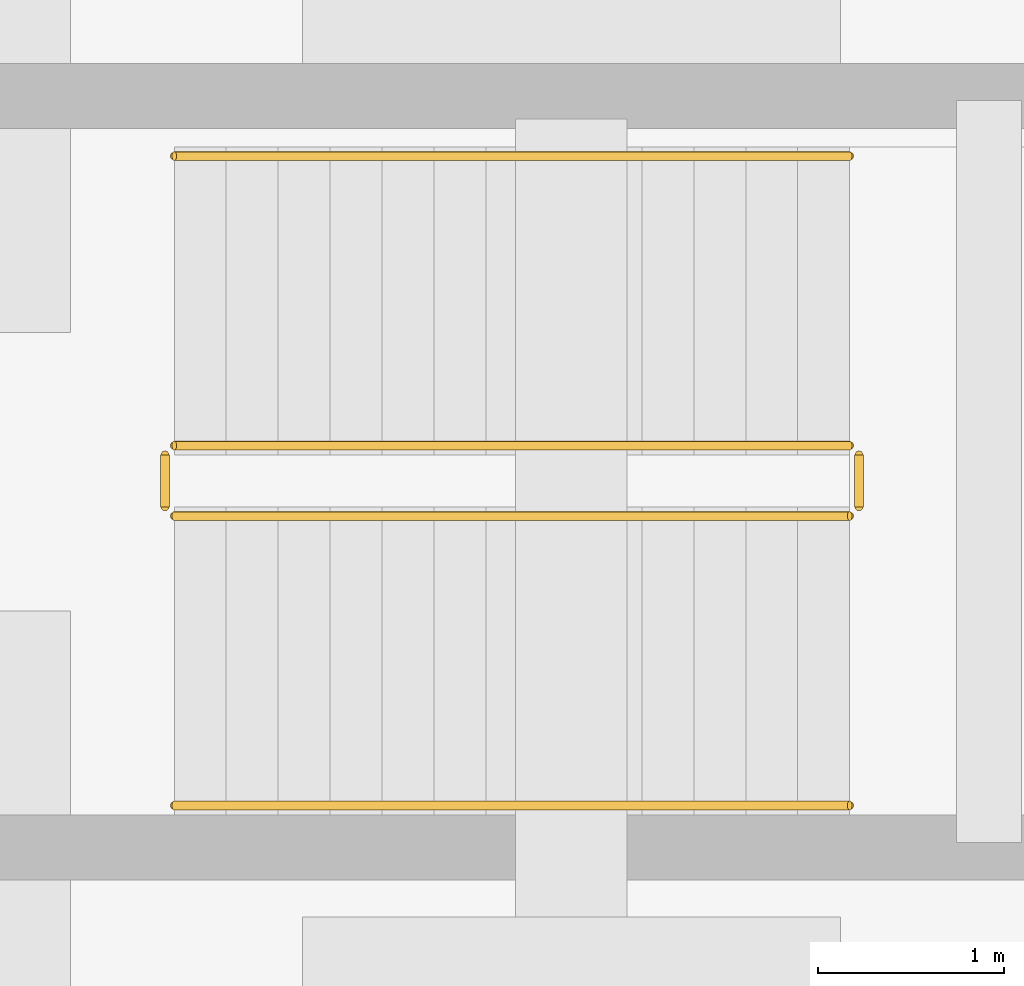
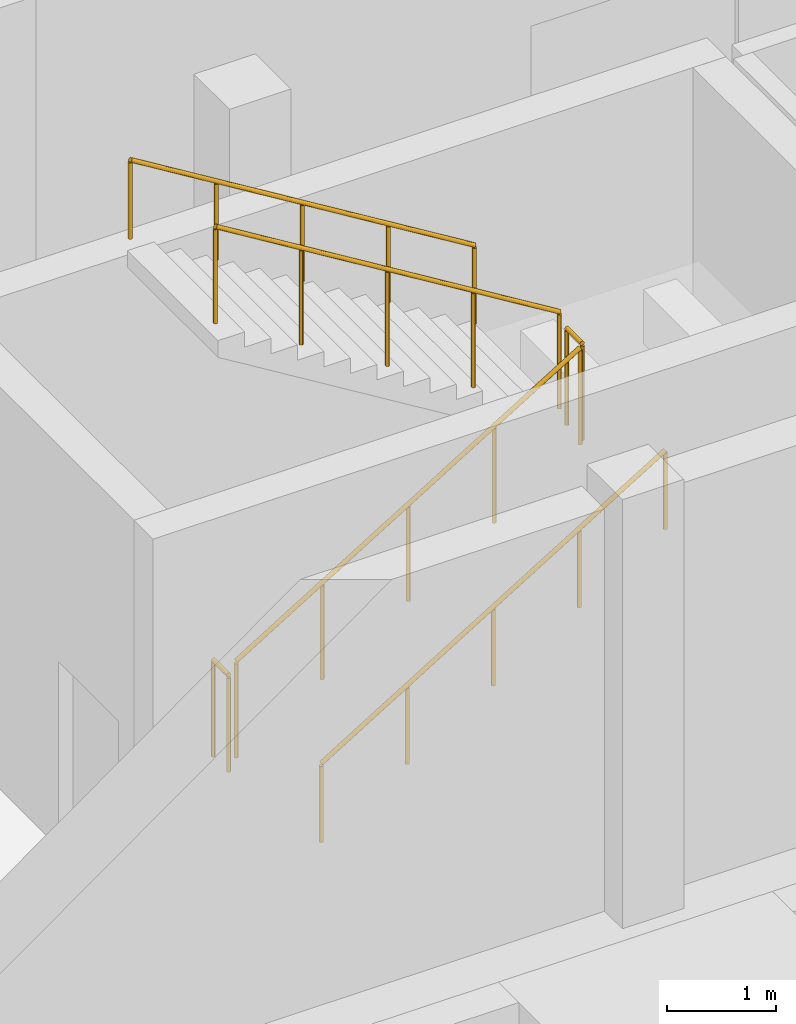
# One storey, part 23 of 29: 6 railings.
"""IFC4 building model written with IfcOpenShell, lengths in metres."""

import ifcopenshell
import ifcopenshell.guid

model = None  # the IFC model being written
_history = None  # IfcOwnerHistory: only IFC2X3 demands one
_inside = {}  # id of a spatial element -> (the spatial element, [elements in it])
_under = {}  # id of a project, library or spatial element -> (it, [spatial elements below it])
_declared = {}  # id of a project -> (the project, [libraries it declares])
_typed = {}  # id of a type object -> (the type object, [elements of that type])
_made_of = {}  # id of a material, layer set ... -> (it, [elements and type objects made of it])


def new_model(schema):
    """Start an empty IFC model of exactly this schema.

    Asked for "IFC4X3", IfcOpenShell would pick the latest addendum, in which some entities
    have other attributes; the version numbers below select the first issue.
    IFC2X3 requires an IfcOwnerHistory on every rooted entity: one is made here for all.
    """
    global model, _history
    if schema == "IFC4X3":
        model = ifcopenshell.file(schema_version=(4, 3, 0, 0))
    else:
        model = ifcopenshell.file(schema=schema)
    _inside.clear()
    _under.clear()
    _declared.clear()
    _typed.clear()
    _made_of.clear()
    _history = None
    if model.schema == "IFC2X3":
        org = make("IfcOrganization", Name="unknown")
        user = make(
            "IfcPersonAndOrganization",
            ThePerson=make("IfcPerson", FamilyName="unknown"),
            TheOrganization=org,
        )
        app = make(
            "IfcApplication",
            ApplicationDeveloper=org,
            Version="unknown",
            ApplicationFullName="unknown",
            ApplicationIdentifier="unknown",
        )
        _history = make(
            "IfcOwnerHistory",
            OwningUser=user,
            OwningApplication=app,
            ChangeAction="ADDED",
            CreationDate=0,
        )
    return model


def make(cls, **values):
    """One entity of the class cls with the attributes given. An attribute that is None is left unset."""
    return model.create_entity(
        cls, **{name: value for name, value in values.items() if value is not None}
    )


def rooted(cls, **values):
    """An entity with a GlobalId (a new one), such as an element, a storey or a relation."""
    return make(cls, GlobalId=ifcopenshell.guid.new(), OwnerHistory=_history, **values)


def si_unit(unit_type, name, prefix=None):
    """IfcSIUnit, for example si_unit("LENGTHUNIT", "METRE", prefix="MILLI")."""
    return make("IfcSIUnit", UnitType=unit_type, Prefix=prefix, Name=name)


def assignment(units):
    """IfcUnitAssignment: the units of a project."""
    return None if units is None else make("IfcUnitAssignment", Units=units)


def point(xyz):
    """IfcCartesianPoint."""
    return None if xyz is None else make("IfcCartesianPoint", Coordinates=xyz)


def direction(xyz):
    """IfcDirection."""
    return None if xyz is None else make("IfcDirection", DirectionRatios=xyz)


def frame(location, z_axis=None, x_axis=None):
    """IfcAxis2Placement3D, a coordinate frame: its origin and axes. An axis left out is left unset."""
    return make(
        "IfcAxis2Placement3D",
        Location=point(location),
        Axis=direction(z_axis),
        RefDirection=direction(x_axis),
    )


def frame_2d(location, x_axis=None):
    """IfcAxis2Placement2D, a coordinate frame in the plane: its origin and x axis."""
    return make(
        "IfcAxis2Placement2D", Location=point(location), RefDirection=direction(x_axis)
    )


def origin():
    """The frame at (0, 0, 0) with its axes left unset."""
    return frame((0.0, 0.0, 0.0))


def origin_2d():
    """The frame at (0, 0) in the plane with its x axis left unset."""
    return frame_2d((0.0, 0.0))


def place(relative_to, where):
    """IfcLocalPlacement: puts the frame where relative to a parent placement (None: the world)."""
    return make(
        "IfcLocalPlacement", PlacementRelTo=relative_to, RelativePlacement=where
    )


def context(
    kind, dimensions, precision=None, world=None, true_north=None, identifier=None
):
    """IfcGeometricRepresentationContext, for example the 3D "Model" context."""
    return make(
        "IfcGeometricRepresentationContext",
        ContextIdentifier=identifier,
        ContextType=kind,
        CoordinateSpaceDimension=dimensions,
        Precision=precision,
        WorldCoordinateSystem=world,
        TrueNorth=true_north,
    )


def subcontext(parent, identifier, kind, view, scale=None):
    """IfcGeometricRepresentationSubContext, for example "Body" below "Model"."""
    return make(
        "IfcGeometricRepresentationSubContext",
        ContextIdentifier=identifier,
        ContextType=kind,
        ParentContext=parent,
        TargetScale=scale,
        TargetView=view,
    )


def project(units=None, contexts=None):
    """IfcProject with its units and contexts."""
    return rooted(
        "IfcProject",
        Name="project",
        RepresentationContexts=contexts,
        UnitsInContext=assignment(units),
    )


def spatial(cls, under=None, at=None, **own):
    """A site, building, storey or space (cls), placed at a placement, below another one or the project."""
    s = rooted(cls, ObjectPlacement=at, **own)
    if under is not None:
        _under.setdefault(under.id(), (under, []))[1].append(s)
    return s


def profile(cls, at=None, kind="AREA", **sizes):
    """A parametric profile (cls). Its sizes go by their IFC names, for example OverallWidth=200.0."""
    return make(cls, ProfileType=kind, Position=at, **sizes)


def circle(**sizes):
    """IfcCircleProfileDef."""
    return profile("IfcCircleProfileDef", **sizes)


def extrude(swept, where, along, depth):
    """IfcExtrudedAreaSolid: the profile swept, set in the frame where, extruded along a direction by depth."""
    return make(
        "IfcExtrudedAreaSolid",
        SweptArea=swept,
        Position=where,
        ExtrudedDirection=direction(along),
        Depth=depth,
    )


def shape(context_of_items, identifier, shape_type, items):
    """IfcShapeRepresentation: the items that make up one representation, for example the "Body"."""
    return make(
        "IfcShapeRepresentation",
        ContextOfItems=context_of_items,
        RepresentationIdentifier=identifier,
        RepresentationType=shape_type,
        Items=items,
    )


def material(Name=None, Category=None):
    """IfcMaterial."""
    return make("IfcMaterial", Name=Name, Category=Category)


def made_of(thing, what):
    """Note that an element or type object is made of a material, layer set ...; save() writes the relation."""
    if what is not None:
        _made_of.setdefault(what.id(), (what, []))[1].append(thing)
    return thing


def type_object(cls, material=None, **own):
    """A type object (cls), such as IfcWallType, which elements share."""
    return made_of(rooted(cls, **own), material)


def element(
    cls,
    number,
    at=None,
    inside=None,
    cuts=None,
    type_object=None,
    material=None,
    context=None,
    identifier="Body",
    shape_type=None,
    held_by="IfcProductDefinitionShape",
    body=None,
    shapes=None,
    **own,
):
    """One element of the class cls, such as IfcWall. Its Tag is "e" and its number.

    at: its placement. inside: the storey or other place that contains it. cuts: it is an
    opening in that element (IfcRelVoidsElement). A single representation is given by context,
    identifier, shape_type and body (its items); several are given by shapes. held_by: the class
    of the entity that holds the representations. save() writes the other relations.
    """
    e = rooted(cls, Tag="e%d" % number, ObjectPlacement=at, **own)
    if body is not None:
        shapes = [shape(context, identifier, shape_type, body)]
    if shapes is not None:
        e.Representation = make(held_by, Representations=shapes)
    if inside is not None:
        _inside.setdefault(inside.id(), (inside, []))[1].append(e)
    if cuts is not None:
        rooted(
            "IfcRelVoidsElement", RelatingBuildingElement=cuts, RelatedOpeningElement=e
        )
    if type_object is not None:
        _typed.setdefault(type_object.id(), (type_object, []))[1].append(e)
    return made_of(e, material)


def aggregate(whole, parts):
    """IfcRelAggregates: a whole, such as a stair, and the parts it consists of."""
    return rooted("IfcRelAggregates", RelatingObject=whole, RelatedObjects=parts)


def save(model, path):
    """Write the relations noted so far, then the file.

    IfcRelAggregates (storeys below a building ...), IfcRelContainedInSpatialStructure (elements
    in a storey), IfcRelDefinesByType, IfcRelAssociatesMaterial and IfcRelDeclares: one each for
    every whole, place, type object, material and project.
    """
    for whole, parts in _under.values():
        aggregate(whole, parts)
    for where, things in _inside.values():
        rooted(
            "IfcRelContainedInSpatialStructure",
            RelatedElements=things,
            RelatingStructure=where,
        )
    for kind, things in _typed.values():
        rooted("IfcRelDefinesByType", RelatedObjects=things, RelatingType=kind)
    for what, things in _made_of.values():
        rooted("IfcRelAssociatesMaterial", RelatedObjects=things, RelatingMaterial=what)
    for by, libraries in _declared.values():
        rooted("IfcRelDeclares", RelatingContext=by, RelatedDefinitions=libraries)
    model.write(path)


model = new_model("IFC4")

# Units and contexts
model_context = context("Model", 3, precision=1e-05, world=origin(), true_north=direction((0.0, 1.0)))
body_context = subcontext(model_context, "Body", "Model", "MODEL_VIEW")
ifc_project = project(units=[si_unit("LENGTHUNIT", "METRE"), si_unit("AREAUNIT", "SQUARE_METRE"), si_unit("VOLUMEUNIT", "CUBIC_METRE"), si_unit("PLANEANGLEUNIT", "RADIAN"), si_unit("MASSUNIT", "GRAM", prefix="KILO")], contexts=[model_context])

# Site, building, storey
site_placement = place(None, origin())
site = spatial("IfcSite", under=ifc_project, at=site_placement, CompositionType="ELEMENT")
building_placement = place(site_placement, origin())
building = spatial("IfcBuilding", under=site, at=building_placement, Name="Kelarvand Opera House", CompositionType="ELEMENT")
storey_placement = place(building_placement, frame((0.0, 0.0, -9.60009765625)))
storey = spatial("IfcBuildingStorey", under=building, at=storey_placement, Name="B2", CompositionType="ELEMENT", Elevation=-9.60009765625)

# Railings
ifc_material_1 = material(Name="Brushed bronze tubular rail")
railing_type_1 = type_object("IfcRailingType", Name="Brushed Bronze Stair Wall Handrail 900", PredefinedType="HANDRAIL", material=ifc_material_1)
railing_1_placement = place(storey_placement, frame((23.659912109375, 11.050048828125, 0.171630859375)))
element("IfcRailing", 1, at=railing_1_placement, inside=storey, type_object=railing_type_1, Name="B2 ST-06 stair handrail 1", PredefinedType="HANDRAIL", context=body_context, shape_type="SweptSolid", body=[
    extrude(circle(Radius=0.02392578125, at=origin_2d()), frame((0.0, 0.0, 0.8759765625), z_axis=(0.852865859571, 0.0, 0.52213008492), x_axis=(0.0, 1.0, 0.0)), (0.0, 0.0, 1.0), 4.26806640625),
    extrude(circle(Radius=0.02099609375, at=origin_2d()), origin(), (0.0, 0.0, 1.0), 0.851806640625),
    extrude(circle(Radius=0.02099609375, at=origin_2d()), frame((0.91015625, 0.0, 0.55712890625)), (0.0, 0.0, 1.0), 0.851806640625),
    extrude(circle(Radius=0.02099609375, at=origin_2d()), frame((1.820068359375, 0.0, 1.1142578125)), (0.0, 0.0, 1.0), 0.851806640625),
    extrude(circle(Radius=0.02099609375, at=origin_2d()), frame((2.72998046875, 0.0, 1.67138671875)), (0.0, 0.0, 1.0), 0.851806640625),
    extrude(circle(Radius=0.02099609375, at=origin_2d()), frame((3.64013671875, 0.0, 2.228515625)), (0.0, 0.0, 1.0), 0.851806640625),
])
railing_2_placement = place(storey_placement, frame((27.300048828125, 14.550048828125, 2.571533203125)))
element("IfcRailing", 2, at=railing_2_placement, inside=storey, type_object=railing_type_1, Name="B2 ST-06 stair handrail 2", PredefinedType="HANDRAIL", context=body_context, shape_type="SweptSolid", body=[
    extrude(circle(Radius=0.02392578125, at=origin_2d()), frame((0.0, 0.0, 0.8759765625), z_axis=(-0.852865859571, 0.0, 0.52213008492), x_axis=(0.0, -1.0, 0.0)), (0.0, 0.0, 1.0), 4.26806640625),
    extrude(circle(Radius=0.02099609375, at=origin_2d()), origin(), (0.0, 0.0, 1.0), 0.851806640625),
    extrude(circle(Radius=0.02099609375, at=origin_2d()), frame((-0.91015625, 0.0, 0.55712890625)), (0.0, 0.0, 1.0), 0.851806640625),
    extrude(circle(Radius=0.02099609375, at=origin_2d()), frame((-1.820068359375, 0.0, 1.1142578125)), (0.0, 0.0, 1.0), 0.851806640625),
    extrude(circle(Radius=0.02099609375, at=origin_2d()), frame((-2.72998046875, 0.0, 1.67138671875)), (0.0, 0.0, 1.0), 0.851806640625),
    extrude(circle(Radius=0.02099609375, at=origin_2d()), frame((-3.64013671875, 0.0, 2.228515625)), (0.0, 0.0, 1.0), 0.851806640625),
])
ifc_material_2 = material(Name="Powder-coated Steel S355", Category="steel")
railing_type_2 = type_object("IfcRailingType", Name="Painted Steel Stair and Void Guardrail 1100", PredefinedType="GUARDRAIL", material=ifc_material_2)
railing_3_placement = place(storey_placement, frame((23.659912109375, 12.610107421875, 0.171630859375)))
element("IfcRailing", 3, at=railing_3_placement, inside=storey, type_object=railing_type_2, Name="B2 ST-06 stair guard 1", PredefinedType="GUARDRAIL", context=body_context, shape_type="SweptSolid", body=[
    extrude(circle(Radius=0.02392578125, at=origin_2d()), frame((0.0, 0.0, 1.076171875), z_axis=(0.852865859571, 0.0, 0.52213008492), x_axis=(0.0, 1.0, 0.0)), (0.0, 0.0, 1.0), 4.26806640625),
    extrude(circle(Radius=0.02099609375, at=origin_2d()), origin(), (0.0, 0.0, 1.0), 1.052001953125),
    extrude(circle(Radius=0.02099609375, at=origin_2d()), frame((0.91015625, 0.0, 0.55712890625)), (0.0, 0.0, 1.0), 1.052001953125),
    extrude(circle(Radius=0.02099609375, at=origin_2d()), frame((1.820068359375, 0.0, 1.1142578125)), (0.0, 0.0, 1.0), 1.052001953125),
    extrude(circle(Radius=0.02099609375, at=origin_2d()), frame((2.72998046875, 0.0, 1.67138671875)), (0.0, 0.0, 1.0), 1.052001953125),
    extrude(circle(Radius=0.02099609375, at=origin_2d()), frame((3.64013671875, 0.0, 2.228515625)), (0.0, 0.0, 1.0), 1.052001953125),
])
railing_4_placement = place(storey_placement, frame((27.35009765625, 12.659912109375, 2.400146484375)))
element("IfcRailing", 4, at=railing_4_placement, inside=storey, type_object=railing_type_2, Name="B2 ST-06 stair guard 2", PredefinedType="GUARDRAIL", context=body_context, shape_type="SweptSolid", body=[
    extrude(circle(Radius=0.02392578125, at=origin_2d()), frame((0.0, 0.0, 1.076171875), z_axis=(0.0, 1.0, 0.0), x_axis=(-1.0, 0.0, 0.0)), (0.0, 0.0, 1.0), 0.280029296875),
    extrude(circle(Radius=0.02099609375, at=origin_2d()), origin(), (0.0, 0.0, 1.0), 1.052001953125),
    extrude(circle(Radius=0.02099609375, at=origin_2d()), frame((0.0, 0.280029296875, 0.0)), (0.0, 0.0, 1.0), 1.052001953125),
])
railing_5_placement = place(storey_placement, frame((27.300048828125, 12.989990234375, 2.571533203125)))
element("IfcRailing", 5, at=railing_5_placement, inside=storey, type_object=railing_type_2, Name="B2 ST-06 stair guard 3", PredefinedType="GUARDRAIL", context=body_context, shape_type="SweptSolid", body=[
    extrude(circle(Radius=0.02392578125, at=origin_2d()), frame((0.0, 0.0, 1.076171875), z_axis=(-0.852865859571, 0.0, 0.52213008492), x_axis=(0.0, -1.0, 0.0)), (0.0, 0.0, 1.0), 4.26806640625),
    extrude(circle(Radius=0.02099609375, at=origin_2d()), origin(), (0.0, 0.0, 1.0), 1.052001953125),
    extrude(circle(Radius=0.02099609375, at=origin_2d()), frame((-0.91015625, 0.0, 0.55712890625)), (0.0, 0.0, 1.0), 1.052001953125),
    extrude(circle(Radius=0.02099609375, at=origin_2d()), frame((-1.820068359375, 0.0, 1.1142578125)), (0.0, 0.0, 1.0), 1.052001953125),
    extrude(circle(Radius=0.02099609375, at=origin_2d()), frame((-2.72998046875, 0.0, 1.67138671875)), (0.0, 0.0, 1.0), 1.052001953125),
    extrude(circle(Radius=0.02099609375, at=origin_2d()), frame((-3.64013671875, 0.0, 2.228515625)), (0.0, 0.0, 1.0), 1.052001953125),
])
railing_6_placement = place(storey_placement, frame((23.610107421875, 12.659912109375, 0.0)))
element("IfcRailing", 6, at=railing_6_placement, inside=storey, type_object=railing_type_2, Name="B2 ST-06 stair guard 4", PredefinedType="GUARDRAIL", context=body_context, shape_type="SweptSolid", body=[
    extrude(circle(Radius=0.02392578125, at=origin_2d()), frame((0.0, 0.0, 1.076171875), z_axis=(0.0, 1.0, 0.0), x_axis=(-1.0, 0.0, 0.0)), (0.0, 0.0, 1.0), 0.280029296875),
    extrude(circle(Radius=0.02099609375, at=origin_2d()), origin(), (0.0, 0.0, 1.0), 1.052001953125),
    extrude(circle(Radius=0.02099609375, at=origin_2d()), frame((0.0, 0.280029296875, 0.0)), (0.0, 0.0, 1.0), 1.052001953125),
])

save(model, "model.ifc")
